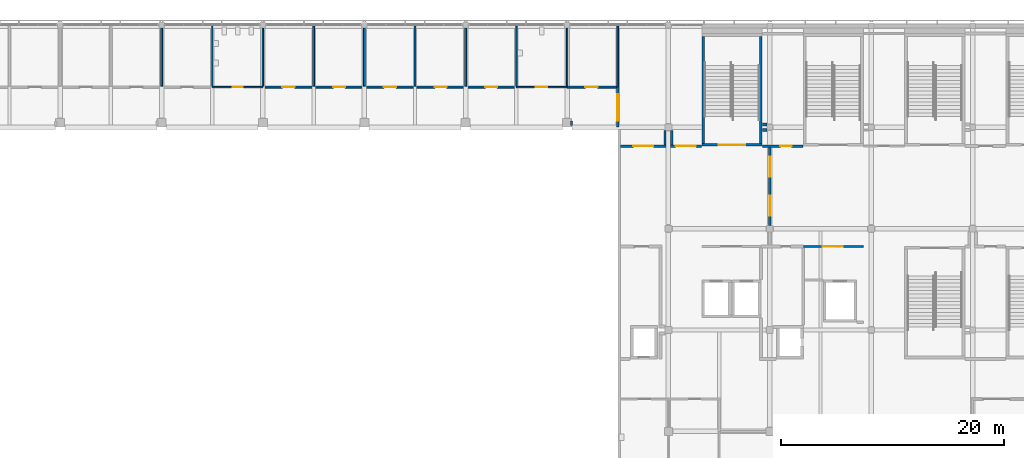
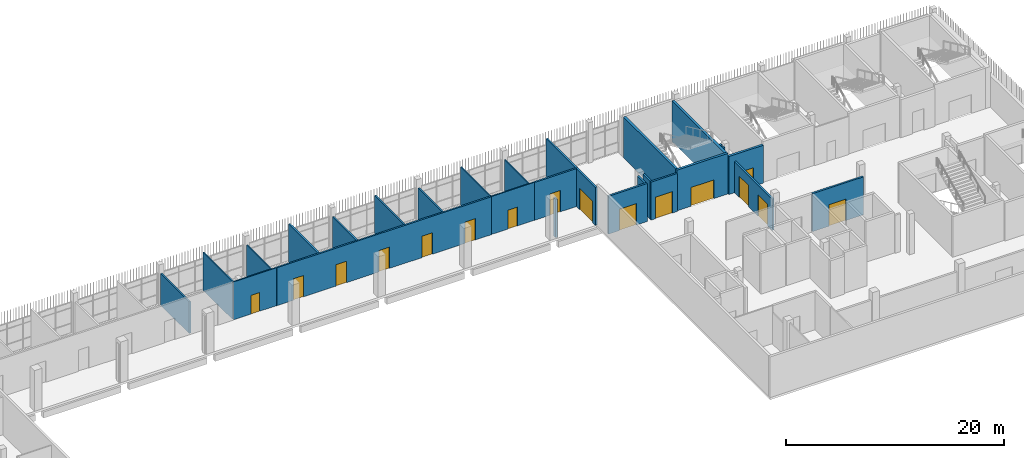
# One storey, part 78 of 124: 28 walls, 16 doors, 16 openings.
"""IFC4 building model written with IfcOpenShell, lengths in metres."""

from ifc_helpers import new_model, si_unit, direction, frame, frame_2d, origin, place, context, subcontext, project, spatial, rectangle, extrude, material, layer, layer_set, type_object, element, fill, save


model = new_model("IFC4")

# Units and contexts
model_context = context("Model", 3, precision=1e-05, world=origin(), true_north=direction((0.0, 1.0)))
body_context = subcontext(model_context, "Body", "Model", "MODEL_VIEW")
ifc_project = project(units=[si_unit("LENGTHUNIT", "METRE"), si_unit("AREAUNIT", "SQUARE_METRE"), si_unit("VOLUMEUNIT", "CUBIC_METRE"), si_unit("PLANEANGLEUNIT", "RADIAN"), si_unit("MASSUNIT", "GRAM", prefix="KILO")], contexts=[model_context])

# Site, building, storey
site_placement = place(None, origin())
site = spatial("IfcSite", under=ifc_project, at=site_placement, CompositionType="ELEMENT")
building_placement = place(site_placement, origin())
building = spatial("IfcBuilding", under=site, at=building_placement, Name="Shirokan Park Arena", CompositionType="ELEMENT")
storey_placement = place(building_placement, frame((0.0, 0.0, 20.02001953125)))
storey = spatial("IfcBuildingStorey", under=building, at=storey_placement, Name="L04", CompositionType="ELEMENT", Elevation=20.02001953125)

# Wall
ifc_material_1 = material(Name="Gypsum board")
ifc_layer_1 = layer(ifc_material_1, 0.02490234375, Name="Gypsum board, two layers")
ifc_material_2 = material(Name="Mineral wool insulation")
ifc_layer_2 = layer(ifc_material_2, 0.10009765625, Name="Acoustic mineral wool in studs")
ifc_layer_3 = layer(ifc_material_1, 0.02490234375, Name="Gypsum board, two layers")
ifc_material_3 = material(Name="Acoustic mat on resilient channel")
ifc_layer_4 = layer(ifc_material_3, 0.02490234375, Name="Acoustic mat on resilient channel")
ifc_layer_set_1 = layer_set([ifc_layer_1, ifc_layer_2, ifc_layer_3, ifc_layer_4], Name="Gypsum board, two layers + Acoustic mineral wool in studs + Acoustic mat on resilient channel")
wall_type_1 = type_object("IfcWallType", Name="Acoustic studio wall 175", PredefinedType="PARTITIONING", material=ifc_layer_set_1)
wall_1_placement = place(storey_placement, frame((63.699951171875, 109.02490234375, 0.0), z_axis=(0.0, 0.0, 1.0), x_axis=(0.0, -1.0, 0.0)))
element("IfcWall", 1, at=wall_1_placement, inside=storey, type_object=wall_type_1, Name="Acoustic studio wall 175 L04", PredefinedType="PARTITIONING", context=body_context, shape_type="SweptSolid", body=[
    extrude(rectangle(XDim=5.2373046875, YDim=0.175048828125, at=frame_2d((2.61865234375, 0.0))), origin(), (0.0, 0.0, 1.0), 3.550048828125),
])

# Wall, openings, doors
wall_2_placement = place(storey_placement, frame((72.800048828125, 103.699951171875, 0.0), z_axis=(0.0, 0.0, 1.0), x_axis=(1.0, 0.0, 0.0)))
wall_2 = element("IfcWall", 2, at=wall_2_placement, inside=storey, type_object=wall_type_1, Name="Acoustic studio wall 175 L04", PredefinedType="PARTITIONING", context=body_context, shape_type="SweptSolid", body=[
    extrude(rectangle(XDim=22.75, YDim=0.175048828125, at=frame_2d((11.375, 0.0))), origin(), (0.0, 0.0, 1.0), 4.25),
])
opening_1_placement = place(wall_2_placement, frame((10.85009765625, 0.0, 0.0)))
opening_1 = element("IfcOpeningElement", 3, at=opening_1_placement, cuts=wall_2, Name="Opening D-4048", PredefinedType="OPENING", context=body_context, shape_type="SweptSolid", body=[
    extrude(rectangle(XDim=1.10009765625, YDim=2.39990234375, at=frame_2d((0.550048828125, 1.199951171875))), frame((0.0, 0.097412109375, 0.0), z_axis=(0.0, -1.0, 0.0), x_axis=(1.0, 0.0, 0.0)), (0.0, 0.0, 1.0), 0.195068359375),
])
opening_2_placement = place(wall_2_placement, frame((15.39990234375, 0.0, 0.0)))
opening_2 = element("IfcOpeningElement", 4, at=opening_2_placement, cuts=wall_2, Name="Opening D-4049", PredefinedType="OPENING", context=body_context, shape_type="SweptSolid", body=[
    extrude(rectangle(XDim=1.10009765625, YDim=2.39990234375, at=frame_2d((0.550048828125, 1.199951171875))), frame((0.0, 0.097412109375, 0.0), z_axis=(0.0, -1.0, 0.0), x_axis=(1.0, 0.0, 0.0)), (0.0, 0.0, 1.0), 0.195068359375),
])
opening_3_placement = place(wall_2_placement, frame((19.949951171875, 0.0, 0.0)))
opening_3 = element("IfcOpeningElement", 5, at=opening_3_placement, cuts=wall_2, Name="Opening D-4050", PredefinedType="OPENING", context=body_context, shape_type="SweptSolid", body=[
    extrude(rectangle(XDim=1.10009765625, YDim=2.39990234375, at=frame_2d((0.550048828125, 1.199951171875))), frame((0.0, 0.097412109375, 0.0), z_axis=(0.0, -1.0, 0.0), x_axis=(1.0, 0.0, 0.0)), (0.0, 0.0, 1.0), 0.195068359375),
])
opening_4_placement = place(wall_2_placement, frame((1.75, 0.0, 0.0)))
opening_4 = element("IfcOpeningElement", 6, at=opening_4_placement, cuts=wall_2, Name="Opening D-4059", PredefinedType="OPENING", context=body_context, shape_type="SweptSolid", body=[
    extrude(rectangle(XDim=1.10009765625, YDim=2.39990234375, at=frame_2d((0.550048828125, 1.199951171875))), frame((0.0, 0.097412109375, 0.0), z_axis=(0.0, -1.0, 0.0), x_axis=(1.0, 0.0, 0.0)), (0.0, 0.0, 1.0), 0.195068359375),
])
opening_5_placement = place(wall_2_placement, frame((6.300048828125, 0.0, 0.0)))
opening_5 = element("IfcOpeningElement", 7, at=opening_5_placement, cuts=wall_2, Name="Opening D-4060", PredefinedType="OPENING", context=body_context, shape_type="SweptSolid", body=[
    extrude(rectangle(XDim=1.10009765625, YDim=2.39990234375, at=frame_2d((0.550048828125, 1.199951171875))), frame((0.0, 0.097412109375, 0.0), z_axis=(0.0, -1.0, 0.0), x_axis=(1.0, 0.0, 0.0)), (0.0, 0.0, 1.0), 0.195068359375),
])
ifc_material_4 = material(Name="Acoustic timber door set, fire resisting", Category="wood")
door_type_1 = type_object("IfcDoorType", Name="Acoustic studio door 1100 x 2400", OperationType="SINGLE_SWING_LEFT", PredefinedType="DOOR", material=ifc_material_4)
door_1_placement = place(opening_1_placement, origin())
door_1 = element("IfcDoor", 8, at=door_1_placement, inside=storey, type_object=door_type_1, Name="Door to Commentary Position 4.40 D-4048", OperationType="SINGLE_SWING_LEFT", OverallHeight=2.39990234375, OverallWidth=1.10009765625, PredefinedType="DOOR", context=body_context, shape_type="SweptSolid", body=[
    extrude(rectangle(XDim=1.10009765625, YDim=2.39990234375, at=frame_2d((0.550048828125, 1.199951171875))), frame((0.0, 0.02490234375, 0.0), z_axis=(0.0, -1.0, 0.0), x_axis=(1.0, 0.0, 0.0)), (0.0, 0.0, 1.0), 0.050048828125),
])
fill(opening_1, door_1)
door_2_placement = place(opening_2_placement, origin())
door_2 = element("IfcDoor", 9, at=door_2_placement, inside=storey, type_object=door_type_1, Name="Door to Commentary Position 4.41 D-4049", OperationType="SINGLE_SWING_LEFT", OverallHeight=2.39990234375, OverallWidth=1.10009765625, PredefinedType="DOOR", context=body_context, shape_type="SweptSolid", body=[
    extrude(rectangle(XDim=1.10009765625, YDim=2.39990234375, at=frame_2d((0.550048828125, 1.199951171875))), frame((0.0, 0.02490234375, 0.0), z_axis=(0.0, -1.0, 0.0), x_axis=(1.0, 0.0, 0.0)), (0.0, 0.0, 1.0), 0.050048828125),
])
fill(opening_2, door_2)
door_3_placement = place(opening_3_placement, origin())
door_3 = element("IfcDoor", 10, at=door_3_placement, inside=storey, type_object=door_type_1, Name="Door to Commentary Position 4.42 D-4050", OperationType="SINGLE_SWING_LEFT", OverallHeight=2.39990234375, OverallWidth=1.10009765625, PredefinedType="DOOR", context=body_context, shape_type="SweptSolid", body=[
    extrude(rectangle(XDim=1.10009765625, YDim=2.39990234375, at=frame_2d((0.550048828125, 1.199951171875))), frame((0.0, 0.02490234375, 0.0), z_axis=(0.0, -1.0, 0.0), x_axis=(1.0, 0.0, 0.0)), (0.0, 0.0, 1.0), 0.050048828125),
])
fill(opening_3, door_3)
door_4_placement = place(opening_4_placement, origin())
door_4 = element("IfcDoor", 11, at=door_4_placement, inside=storey, type_object=door_type_1, Name="Door to Commentary Position 4.38 D-4059", OperationType="SINGLE_SWING_LEFT", OverallHeight=2.39990234375, OverallWidth=1.10009765625, PredefinedType="DOOR", context=body_context, shape_type="SweptSolid", body=[
    extrude(rectangle(XDim=1.10009765625, YDim=2.39990234375, at=frame_2d((0.550048828125, 1.199951171875))), frame((0.0, 0.02490234375, 0.0), z_axis=(0.0, -1.0, 0.0), x_axis=(1.0, 0.0, 0.0)), (0.0, 0.0, 1.0), 0.050048828125),
])
fill(opening_4, door_4)
door_5_placement = place(opening_5_placement, origin())
door_5 = element("IfcDoor", 12, at=door_5_placement, inside=storey, type_object=door_type_1, Name="Door to Commentary Position 4.39 D-4060", OperationType="SINGLE_SWING_LEFT", OverallHeight=2.39990234375, OverallWidth=1.10009765625, PredefinedType="DOOR", context=body_context, shape_type="SweptSolid", body=[
    extrude(rectangle(XDim=1.10009765625, YDim=2.39990234375, at=frame_2d((0.550048828125, 1.199951171875))), frame((0.0, 0.02490234375, 0.0), z_axis=(0.0, -1.0, 0.0), x_axis=(1.0, 0.0, 0.0)), (0.0, 0.0, 1.0), 0.050048828125),
])
fill(opening_5, door_5)

# Walls
wall_3_placement = place(storey_placement, frame((77.35009765625, 109.169921875, 0.0), z_axis=(0.0, 0.0, 1.0), x_axis=(0.0, -1.0, 0.0)))
element("IfcWall", 13, at=wall_3_placement, inside=storey, type_object=wall_type_1, Name="Acoustic studio wall 175 L04", PredefinedType="PARTITIONING", context=body_context, shape_type="SweptSolid", body=[
    extrude(rectangle(XDim=5.38232421875, YDim=0.175048828125, at=frame_2d((2.691162109375, 0.0))), origin(), (0.0, 0.0, 1.0), 4.25),
])
wall_4_placement = place(storey_placement, frame((81.89990234375, 109.0, 0.0), z_axis=(0.0, 0.0, 1.0), x_axis=(0.0, -1.0, 0.0)))
element("IfcWall", 14, at=wall_4_placement, inside=storey, type_object=wall_type_1, Name="Acoustic studio wall 175 L04", PredefinedType="PARTITIONING", context=body_context, shape_type="SweptSolid", body=[
    extrude(rectangle(XDim=5.21240234375, YDim=0.175048828125, at=frame_2d((2.606201171875, 0.0))), origin(), (0.0, 0.0, 1.0), 3.550048828125),
])
wall_5_placement = place(storey_placement, frame((86.449951171875, 109.169921875, 0.0), z_axis=(0.0, 0.0, 1.0), x_axis=(0.0, -1.0, 0.0)))
element("IfcWall", 15, at=wall_5_placement, inside=storey, type_object=wall_type_1, Name="Acoustic studio wall 175 L04", PredefinedType="PARTITIONING", context=body_context, shape_type="SweptSolid", body=[
    extrude(rectangle(XDim=5.38232421875, YDim=0.175048828125, at=frame_2d((2.691162109375, 0.0))), origin(), (0.0, 0.0, 1.0), 4.25),
])
wall_6_placement = place(storey_placement, frame((91.0, 109.02490234375, 0.0), z_axis=(0.0, 0.0, 1.0), x_axis=(0.0, -1.0, 0.0)))
element("IfcWall", 16, at=wall_6_placement, inside=storey, type_object=wall_type_1, Name="Acoustic studio wall 175 L04", PredefinedType="PARTITIONING", context=body_context, shape_type="SweptSolid", body=[
    extrude(rectangle(XDim=5.2373046875, YDim=0.175048828125, at=frame_2d((2.61865234375, 0.0))), origin(), (0.0, 0.0, 1.0), 3.550048828125),
])

# Wall, opening, door
wall_7_placement = place(storey_placement, frame((100.10009765625, 103.699951171875, 0.0), z_axis=(0.0, 0.0, 1.0), x_axis=(1.0, 0.0, 0.0)))
wall_7 = element("IfcWall", 17, at=wall_7_placement, inside=storey, type_object=wall_type_1, Name="Acoustic studio wall 175 L04", PredefinedType="PARTITIONING", context=body_context, shape_type="SweptSolid", body=[
    extrude(rectangle(XDim=4.449951171875, YDim=0.175048828125, at=frame_2d((2.22509765625, 0.0))), origin(), (0.0, 0.0, 1.0), 4.25),
])
opening_6_placement = place(wall_7_placement, frame((1.64990234375, 0.0, 0.0)))
opening_6 = element("IfcOpeningElement", 18, at=opening_6_placement, cuts=wall_7, Name="Opening D-4052", PredefinedType="OPENING", context=body_context, shape_type="SweptSolid", body=[
    extrude(rectangle(XDim=1.10009765625, YDim=2.39990234375, at=frame_2d((0.550048828125, 1.199951171875))), frame((0.0, 0.097412109375, 0.0), z_axis=(0.0, -1.0, 0.0), x_axis=(1.0, 0.0, 0.0)), (0.0, 0.0, 1.0), 0.195068359375),
])
door_6_placement = place(opening_6_placement, origin())
door_6 = element("IfcDoor", 19, at=door_6_placement, inside=storey, type_object=door_type_1, Name="Door to Commentary Position 4.44 D-4052", OperationType="SINGLE_SWING_RIGHT", OverallHeight=2.39990234375, OverallWidth=1.10009765625, PredefinedType="DOOR", context=body_context, shape_type="SweptSolid", body=[
    extrude(rectangle(XDim=1.10009765625, YDim=2.39990234375, at=frame_2d((0.550048828125, 1.199951171875))), frame((0.0, 0.02490234375, 0.0), z_axis=(0.0, -1.0, 0.0), x_axis=(1.0, 0.0, 0.0)), (0.0, 0.0, 1.0), 0.050048828125),
])
fill(opening_6, door_6)

# Wall
wall_8_placement = place(storey_placement, frame((104.64990234375, 103.699951171875, 0.0), z_axis=(0.0, 0.0, 1.0), x_axis=(0.0, 1.0, 0.0)))
element("IfcWall", 20, at=wall_8_placement, inside=storey, type_object=wall_type_1, Name="Acoustic studio wall 175 L04", PredefinedType="PARTITIONING", context=body_context, shape_type="SweptSolid", body=[
    extrude(rectangle(XDim=5.469970703125, YDim=0.175048828125, at=frame_2d((2.73486328125, 0.0))), origin(), (0.0, 0.0, 1.0), 4.25),
])

# Wall, opening, door
ifc_material_5 = material(Name="Plaster")
ifc_layer_5 = layer(ifc_material_5, 0.014892578125, Name="Plaster")
ifc_material_6 = material(Name="Concrete blockwork", Category="masonry")
ifc_layer_6 = layer(ifc_material_6, 0.219970703125, Name="Concrete blockwork 220")
ifc_layer_7 = layer(ifc_material_5, 0.014892578125, Name="Plaster")
ifc_layer_set_2 = layer_set([ifc_layer_5, ifc_layer_6, ifc_layer_7], Name="Plaster + Concrete blockwork 220")
wall_type_2 = type_object("IfcWallType", Name="Compartment wall 250", PredefinedType="SOLIDWALL", material=ifc_layer_set_2)
wall_9_placement = place(storey_placement, frame((117.6298828125, 98.39990234375, 0.0), z_axis=(0.0, 0.0, 1.0), x_axis=(1.0, 0.0, 0.0)))
wall_9 = element("IfcWall", 21, at=wall_9_placement, inside=storey, type_object=wall_type_2, Name="Compartment wall 250 L04", PredefinedType="SOLIDWALL", context=body_context, shape_type="SweptSolid", body=[
    extrude(rectangle(XDim=3.64013671875, YDim=0.25, at=frame_2d((1.820068359375, 0.0))), origin(), (0.0, 0.0, 1.0), 4.25),
])
opening_7_placement = place(wall_9_placement, frame((1.6201171875, 0.0, 0.0)))
opening_7 = element("IfcOpeningElement", 22, at=opening_7_placement, cuts=wall_9, Name="Opening D-4029", PredefinedType="OPENING", context=body_context, shape_type="SweptSolid", body=[
    extrude(rectangle(XDim=1.0, YDim=2.10009765625, at=frame_2d((0.5, 1.050048828125))), frame((0.0, 0.135009765625, 0.0), z_axis=(0.0, -1.0, 0.0), x_axis=(1.0, 0.0, 0.0)), (0.0, 0.0, 1.0), 0.27001953125),
])
ifc_material_7 = material(Name="Timber door set, fire resisting", Category="wood")
door_type_2 = type_object("IfcDoorType", Name="Door 1000 x 2100", OperationType="SINGLE_SWING_LEFT", PredefinedType="DOOR", material=ifc_material_7)
door_7_placement = place(opening_7_placement, origin())
door_7 = element("IfcDoor", 23, at=door_7_placement, inside=storey, type_object=door_type_2, Name="Door to Records Store 4.32 D-4029", OperationType="SINGLE_SWING_RIGHT", OverallHeight=2.10009765625, OverallWidth=1.0, PredefinedType="DOOR", context=body_context, shape_type="SweptSolid", body=[
    extrude(rectangle(XDim=1.0, YDim=2.10009765625, at=frame_2d((0.5, 1.050048828125))), frame((0.0, 0.02490234375, 0.0), z_axis=(0.0, -1.0, 0.0), x_axis=(1.0, 0.0, 0.0)), (0.0, 0.0, 1.0), 0.050048828125),
])
fill(opening_7, door_7)

# Walls
for number, where, z_axis, x_axis, name in (
    (24, (117.6298828125, 99.85009765625, 0.0), (0.0, 0.0, 1.0), (1.0, 0.0, 0.0), "Compartment wall 250 L04"),
    (25, (118.050048828125, 100.35009765625, 0.0), (0.0, 0.0, 1.0), (-1.0, 0.0, 0.0), "Compartment wall 250 L04"),
):
    element("IfcWall", number, at=place(storey_placement, frame(where, z_axis=z_axis, x_axis=x_axis)), inside=storey, type_object=wall_type_2, Name=name, PredefinedType="SOLIDWALL", context=body_context, shape_type="SweptSolid", body=[
        extrude(rectangle(XDim=0.420166015625, YDim=0.25, at=frame_2d((0.2099609375, 0.0))), origin(), (0.0, 0.0, 1.0), 4.25),
    ])
ifc_layer_8 = layer(ifc_material_1, 0.02490234375, Name="Gypsum board, two layers")
ifc_layer_9 = layer(ifc_material_2, 0.14990234375, Name="Mineral wool insulation")
ifc_layer_10 = layer(ifc_material_1, 0.02490234375, Name="Gypsum board, two layers")
ifc_layer_set_3 = layer_set([ifc_layer_8, ifc_layer_9, ifc_layer_10], Name="Gypsum board, two layers + Mineral wool insulation")
wall_type_3 = type_object("IfcWallType", Name="Corridor wall 200", PredefinedType="PARTITIONING", material=ifc_layer_set_3)
wall_10_placement = place(storey_placement, frame((100.5, 100.25, 0.0), z_axis=(0.0, 0.0, 1.0), x_axis=(0.0, 1.0, 0.0)))
element("IfcWall", 26, at=wall_10_placement, inside=storey, type_object=wall_type_3, Name="Corridor wall 200 L04", PredefinedType="PARTITIONING", context=body_context, shape_type="SweptSolid", body=[
    extrude(rectangle(XDim=0.39990234375, YDim=0.199951171875, at=frame_2d((0.199951171875, 0.0))), origin(), (0.0, 0.0, 1.0), 4.25),
])

# Wall, opening, door
wall_11_placement = place(storey_placement, frame((104.64990234375, 100.1298828125, 0.0), z_axis=(0.0, 0.0, 1.0), x_axis=(0.0, 1.0, 0.0)))
wall_11 = element("IfcWall", 27, at=wall_11_placement, inside=storey, type_object=wall_type_3, Name="Corridor wall 200 L04", PredefinedType="PARTITIONING", context=body_context, shape_type="SweptSolid", body=[
    extrude(rectangle(XDim=3.570068359375, YDim=0.199951171875, at=frame_2d((1.78515625, 0.0))), origin(), (0.0, 0.0, 1.0), 4.25),
])
opening_8_placement = place(wall_11_placement, frame((0.550048828125, 0.0, 0.0)))
opening_8 = element("IfcOpeningElement", 28, at=opening_8_placement, cuts=wall_11, Name="Opening D-4106", PredefinedType="OPENING", context=body_context, shape_type="SweptSolid", body=[
    extrude(rectangle(XDim=2.39990234375, YDim=2.39990234375, at=frame_2d((1.199951171875, 1.199951171875))), frame((0.0, 0.10986328125, 0.0), z_axis=(0.0, -1.0, 0.0), x_axis=(1.0, 0.0, 0.0)), (0.0, 0.0, 1.0), 0.219970703125),
])
ifc_material_8 = material(Name="Steel door set, fire resisting", Category="steel")
door_type_3 = type_object("IfcDoorType", Name="Double door 2400 x 2400", OperationType="DOUBLE_DOOR_SINGLE_SWING", PredefinedType="DOOR", material=ifc_material_8)
door_8_placement = place(opening_8_placement, origin())
door_8 = element("IfcDoor", 29, at=door_8_placement, inside=storey, type_object=door_type_3, Name="Door between Ring Link 3.4 and Operations Corridor 4.03 D-4106", OperationType="DOUBLE_DOOR_SINGLE_SWING", OverallHeight=2.39990234375, OverallWidth=2.39990234375, PredefinedType="DOOR", context=body_context, shape_type="SweptSolid", body=[
    extrude(rectangle(XDim=2.39990234375, YDim=2.39990234375, at=frame_2d((1.199951171875, 1.199951171875))), frame((0.0, 0.02490234375, 0.0), z_axis=(0.0, -1.0, 0.0), x_axis=(1.0, 0.0, 0.0)), (0.0, 0.0, 1.0), 0.050048828125),
])
fill(opening_8, door_8)

wall_12_placement = place(storey_placement, frame((104.89990234375, 98.39990234375, 0.0), z_axis=(0.0, 0.0, 1.0), x_axis=(1.0, 0.0, 0.0)))
wall_12 = element("IfcWall", 30, at=wall_12_placement, inside=storey, type_object=wall_type_3, Name="Corridor wall 200 L04", PredefinedType="PARTITIONING", context=body_context, shape_type="SweptSolid", body=[
    extrude(rectangle(XDim=4.10009765625, YDim=0.199951171875, at=frame_2d((2.050048828125, 0.0))), origin(), (0.0, 0.0, 1.0), 4.25),
])
opening_9_placement = place(wall_12_placement, frame((1.14990234375, 0.0, 0.0)))
opening_9 = element("IfcOpeningElement", 31, at=opening_9_placement, cuts=wall_12, Name="Opening D-4103", PredefinedType="OPENING", context=body_context, shape_type="SweptSolid", body=[
    extrude(rectangle(XDim=1.800048828125, YDim=2.39990234375, at=frame_2d((0.89990234375, 1.199951171875))), frame((0.0, 0.10986328125, 0.0), z_axis=(0.0, -1.0, 0.0), x_axis=(1.0, 0.0, 0.0)), (0.0, 0.0, 1.0), 0.219970703125),
])
ifc_material_9 = material(Name="Glazed steel door set, fire resisting", Category="steel")
door_type_4 = type_object("IfcDoorType", Name="Lift lobby door 1800 x 2400", OperationType="DOUBLE_DOOR_SINGLE_SWING", PredefinedType="DOOR", material=ifc_material_9)
door_9_placement = place(opening_9_placement, origin())
door_9 = element("IfcDoor", 32, at=door_9_placement, inside=storey, type_object=door_type_4, Name="Door between Stair Lobby 3.4.2 and Ring Link 3.4 D-4103", OperationType="DOUBLE_DOOR_SINGLE_SWING", OverallHeight=2.39990234375, OverallWidth=1.800048828125, PredefinedType="DOOR", context=body_context, shape_type="SweptSolid", body=[
    extrude(rectangle(XDim=1.800048828125, YDim=2.39990234375, at=frame_2d((0.89990234375, 1.199951171875))), frame((0.0, 0.02490234375, 0.0), z_axis=(0.0, -1.0, 0.0), x_axis=(1.0, 0.0, 0.0)), (0.0, 0.0, 1.0), 0.050048828125),
])
fill(opening_9, door_9)

# Wall
wall_13_placement = place(storey_placement, frame((108.89990234375, 98.5, 0.0), z_axis=(0.0, 0.0, 1.0), x_axis=(0.0, 1.0, 0.0)))
element("IfcWall", 33, at=wall_13_placement, inside=storey, type_object=wall_type_3, Name="Corridor wall 200 L04", PredefinedType="PARTITIONING", context=body_context, shape_type="SweptSolid", body=[
    extrude(rectangle(XDim=1.300048828125, YDim=0.199951171875, at=frame_2d((0.64990234375, 0.0))), origin(), (0.0, 0.0, 1.0), 4.25),
])

# Wall, opening, door
wall_14_placement = place(storey_placement, frame((109.39990234375, 98.39990234375, 0.0), z_axis=(0.0, 0.0, 1.0), x_axis=(1.0, 0.0, 0.0)))
wall_14 = element("IfcWall", 34, at=wall_14_placement, inside=storey, type_object=wall_type_3, Name="Corridor wall 200 L04", PredefinedType="PARTITIONING", context=body_context, shape_type="SweptSolid", body=[
    extrude(rectangle(XDim=2.77001953125, YDim=0.199951171875, at=frame_2d((1.385009765625, 0.0))), origin(), (0.0, 0.0, 1.0), 4.25),
])
opening_10_placement = place(wall_14_placement, frame((0.449951171875, 0.0, 0.0)))
opening_10 = element("IfcOpeningElement", 35, at=opening_10_placement, cuts=wall_14, Name="Opening D-4104", PredefinedType="OPENING", context=body_context, shape_type="SweptSolid", body=[
    extrude(rectangle(XDim=1.800048828125, YDim=2.39990234375, at=frame_2d((0.89990234375, 1.199951171875))), frame((0.0, 0.10986328125, 0.0), z_axis=(0.0, -1.0, 0.0), x_axis=(1.0, 0.0, 0.0)), (0.0, 0.0, 1.0), 0.219970703125),
])
door_10_placement = place(opening_10_placement, origin())
door_10 = element("IfcDoor", 36, at=door_10_placement, inside=storey, type_object=door_type_4, Name="Door between Stair Lobby 3.4.2 and Ring Link 3.4 D-4104", OperationType="DOUBLE_DOOR_SINGLE_SWING", OverallHeight=2.39990234375, OverallWidth=1.800048828125, PredefinedType="DOOR", context=body_context, shape_type="SweptSolid", body=[
    extrude(rectangle(XDim=1.800048828125, YDim=2.39990234375, at=frame_2d((0.89990234375, 1.199951171875))), frame((0.0, 0.02490234375, 0.0), z_axis=(0.0, -1.0, 0.0), x_axis=(1.0, 0.0, 0.0)), (0.0, 0.0, 1.0), 0.050048828125),
])
fill(opening_10, door_10)

# Wall
wall_15_placement = place(storey_placement, frame((109.5, 99.800048828125, 0.0), z_axis=(0.0, 0.0, 1.0), x_axis=(0.0, -1.0, 0.0)))
element("IfcWall", 37, at=wall_15_placement, inside=storey, type_object=wall_type_3, Name="Corridor wall 200 L04", PredefinedType="PARTITIONING", context=body_context, shape_type="SweptSolid", body=[
    extrude(rectangle(XDim=1.300048828125, YDim=0.199951171875, at=frame_2d((0.64990234375, 0.0))), origin(), (0.0, 0.0, 1.0), 4.25),
])

# Wall, openings, doors
wall_16_placement = place(storey_placement, frame((118.300048828125, 91.300048828125, 0.0), z_axis=(0.0, 0.0, 1.0), x_axis=(0.0, 1.0, 0.0)))
wall_16 = element("IfcWall", 38, at=wall_16_placement, inside=storey, type_object=wall_type_3, Name="Corridor wall 200 L04", PredefinedType="PARTITIONING", context=body_context, shape_type="SweptSolid", body=[
    extrude(rectangle(XDim=6.974853515625, YDim=0.199951171875, at=frame_2d((3.4873046875, 0.0))), origin(), (0.0, 0.0, 1.0), 3.5),
])
opening_11_placement = place(wall_16_placement, frame((0.85009765625, 0.0, 0.0)))
opening_11 = element("IfcOpeningElement", 39, at=opening_11_placement, cuts=wall_16, Name="Opening D-4099", PredefinedType="OPENING", context=body_context, shape_type="SweptSolid", body=[
    extrude(rectangle(XDim=1.800048828125, YDim=2.39990234375, at=frame_2d((0.89990234375, 1.199951171875))), frame((0.0, 0.10986328125, 0.0), z_axis=(0.0, -1.0, 0.0), x_axis=(1.0, 0.0, 0.0)), (0.0, 0.0, 1.0), 0.219970703125),
])
opening_12_placement = place(wall_16_placement, frame((4.35009765625, 0.0, 0.0)))
opening_12 = element("IfcOpeningElement", 40, at=opening_12_placement, cuts=wall_16, Name="Opening D-4100", PredefinedType="OPENING", context=body_context, shape_type="SweptSolid", body=[
    extrude(rectangle(XDim=1.800048828125, YDim=2.39990234375, at=frame_2d((0.89990234375, 1.199951171875))), frame((0.0, 0.10986328125, 0.0), z_axis=(0.0, -1.0, 0.0), x_axis=(1.0, 0.0, 0.0)), (0.0, 0.0, 1.0), 0.219970703125),
])
door_11_placement = place(opening_11_placement, origin())
door_11 = element("IfcDoor", 41, at=door_11_placement, inside=storey, type_object=door_type_4, Name="Door between Control Lobby 3.4.1 and Stair Lobby 3.4.2 D-4099", OperationType="DOUBLE_DOOR_SINGLE_SWING", OverallHeight=2.39990234375, OverallWidth=1.800048828125, PredefinedType="DOOR", context=body_context, shape_type="SweptSolid", body=[
    extrude(rectangle(XDim=1.800048828125, YDim=2.39990234375, at=frame_2d((0.89990234375, 1.199951171875))), frame((0.0, 0.02490234375, 0.0), z_axis=(0.0, -1.0, 0.0), x_axis=(1.0, 0.0, 0.0)), (0.0, 0.0, 1.0), 0.050048828125),
])
fill(opening_11, door_11)
door_12_placement = place(opening_12_placement, origin())
door_12 = element("IfcDoor", 42, at=door_12_placement, inside=storey, type_object=door_type_4, Name="Door between Control Lobby 3.4.1 and Stair Lobby 3.4.2 D-4100", OperationType="DOUBLE_DOOR_SINGLE_SWING", OverallHeight=2.39990234375, OverallWidth=1.800048828125, PredefinedType="DOOR", context=body_context, shape_type="SweptSolid", body=[
    extrude(rectangle(XDim=1.800048828125, YDim=2.39990234375, at=frame_2d((0.89990234375, 1.199951171875))), frame((0.0, 0.02490234375, 0.0), z_axis=(0.0, -1.0, 0.0), x_axis=(1.0, 0.0, 0.0)), (0.0, 0.0, 1.0), 0.050048828125),
])
fill(opening_12, door_12)

# Wall, opening, door
wall_17_placement = place(storey_placement, frame((126.699951171875, 89.39990234375, 0.0), z_axis=(0.0, 0.0, 1.0), x_axis=(-1.0, 0.0, 0.0)))
wall_17 = element("IfcWall", 43, at=wall_17_placement, inside=storey, type_object=wall_type_3, Name="Corridor wall 200 L04", PredefinedType="PARTITIONING", context=body_context, shape_type="SweptSolid", body=[
    extrude(rectangle(XDim=5.39990234375, YDim=0.199951171875, at=frame_2d((2.699951171875, 0.0))), origin(), (0.0, 0.0, 1.0), 4.25),
])
opening_13_placement = place(wall_17_placement, frame((1.85009765625, 0.0, 0.0)))
opening_13 = element("IfcOpeningElement", 44, at=opening_13_placement, cuts=wall_17, Name="Opening D-4101", PredefinedType="OPENING", context=body_context, shape_type="SweptSolid", body=[
    extrude(rectangle(XDim=1.800048828125, YDim=2.39990234375, at=frame_2d((0.89990234375, 1.199951171875))), frame((0.0, 0.10986328125, 0.0), z_axis=(0.0, -1.0, 0.0), x_axis=(1.0, 0.0, 0.0)), (0.0, 0.0, 1.0), 0.219970703125),
])
door_13_placement = place(opening_13_placement, origin())
door_13 = element("IfcDoor", 45, at=door_13_placement, inside=storey, type_object=door_type_4, Name="Door between Control Lobby 3.4.1 and Service Lift Lobby 3.4 D-4101", OperationType="DOUBLE_DOOR_SINGLE_SWING", OverallHeight=2.39990234375, OverallWidth=1.800048828125, PredefinedType="DOOR", context=body_context, shape_type="SweptSolid", body=[
    extrude(rectangle(XDim=1.800048828125, YDim=2.39990234375, at=frame_2d((0.89990234375, 1.199951171875))), frame((0.0, 0.02490234375, 0.0), z_axis=(0.0, -1.0, 0.0), x_axis=(1.0, 0.0, 0.0)), (0.0, 0.0, 1.0), 0.050048828125),
])
fill(opening_13, door_13)

ifc_material_10 = material(Name="Concrete C40/50", Category="concrete")
ifc_layer_11 = layer(ifc_material_10, 0.25)
ifc_layer_set_4 = layer_set([ifc_layer_11], Name="Concrete C40/50 250 mm")
wall_type_4 = type_object("IfcWallType", Name="RC shear wall 250", PredefinedType="SHEAR", material=ifc_layer_set_4)
wall_18_placement = place(storey_placement, frame((117.60009765625, 98.52490234375, 0.0), z_axis=(0.0, 0.0, 1.0), x_axis=(-1.0, 0.0, 0.0)))
wall_18 = element("IfcWall", 46, at=wall_18_placement, inside=storey, type_object=wall_type_4, Name="Shaft wall Exit Stair 3.D S L04", PredefinedType="SHEAR", context=body_context, shape_type="SweptSolid", body=[
    extrude(rectangle(XDim=5.400146484375, YDim=0.25, at=frame_2d((2.7001953125, 0.0))), origin(), (0.0, 0.0, 1.0), 4.550048828125),
])
opening_14_placement = place(wall_18_placement, frame((1.5, 0.0, 0.0)))
opening_14 = element("IfcOpeningElement", 47, at=opening_14_placement, cuts=wall_18, Name="Opening D-4145", PredefinedType="OPENING", context=body_context, shape_type="SweptSolid", body=[
    extrude(rectangle(XDim=2.39990234375, YDim=2.10009765625, at=frame_2d((1.199951171875, 1.050048828125))), frame((0.0, 0.135009765625, 0.0), z_axis=(0.0, -1.0, 0.0), x_axis=(1.0, 0.0, 0.0)), (0.0, 0.0, 1.0), 0.27001953125),
])
door_type_5 = type_object("IfcDoorType", Name="Stair door 2400 x 2100", OperationType="DOUBLE_DOOR_SINGLE_SWING", PredefinedType="DOOR", material=ifc_material_8)
door_14_placement = place(opening_14_placement, origin())
door_14 = element("IfcDoor", 48, at=door_14_placement, inside=storey, type_object=door_type_5, Name="Stair door Exit Stair 3.D D-4145", OperationType="DOUBLE_DOOR_SINGLE_SWING", OverallHeight=2.10009765625, OverallWidth=2.39990234375, PredefinedType="DOOR", context=body_context, shape_type="SweptSolid", body=[
    extrude(rectangle(XDim=2.39990234375, YDim=2.10009765625, at=frame_2d((1.199951171875, 1.050048828125))), frame((0.0, 0.02490234375, 0.0), z_axis=(0.0, -1.0, 0.0), x_axis=(1.0, 0.0, 0.0)), (0.0, 0.0, 1.0), 0.050048828125),
])
fill(opening_14, door_14)

# Walls
for number, where, z_axis, x_axis, name in (
    (49, (112.324951171875, 108.25, 0.0), (0.0, 0.0, 1.0), (0.0, -1.0, 0.0), "Shaft wall Exit Stair 3.D W L04"),
    (50, (117.47509765625, 108.25, 0.0), (0.0, 0.0, 1.0), (0.0, -1.0, 0.0), "Shaft wall Exit Stair 3.D E L04"),
):
    element("IfcWall", number, at=place(storey_placement, frame(where, z_axis=z_axis, x_axis=x_axis)), inside=storey, type_object=wall_type_4, Name=name, PredefinedType="SHEAR", context=body_context, shape_type="SweptSolid", body=[
        extrude(rectangle(XDim=9.60009765625, YDim=0.25, at=frame_2d((4.800048828125, 0.0))), origin(), (0.0, 0.0, 1.0), 4.550048828125),
    ])

# Wall, opening, door
ifc_material_11 = material(Name="Ceramic tile")
ifc_layer_12 = layer(ifc_material_11, 0.010009765625, Name="Ceramic tile")
ifc_material_12 = material(Name="Cement board")
ifc_layer_13 = layer(ifc_material_12, 0.012451171875, Name="Cement board")
ifc_layer_14 = layer(ifc_material_2, 0.080078125, Name="Mineral wool insulation")
ifc_layer_15 = layer(ifc_material_12, 0.012451171875, Name="Cement board")
ifc_layer_16 = layer(ifc_material_11, 0.010009765625, Name="Ceramic tile")
ifc_layer_set_5 = layer_set([ifc_layer_12, ifc_layer_13, ifc_layer_14, ifc_layer_15, ifc_layer_16], Name="Ceramic tile + Cement board + Mineral wool insulation")
wall_type_5 = type_object("IfcWallType", Name="Wet-area wall 125", PredefinedType="PARTITIONING", material=ifc_layer_set_5)
wall_19_placement = place(storey_placement, frame((68.25, 103.699951171875, 0.0), z_axis=(0.0, 0.0, 1.0), x_axis=(1.0, 0.0, 0.0)))
wall_19 = element("IfcWall", 51, at=wall_19_placement, inside=storey, type_object=wall_type_5, Name="Wet-area wall 125 L04", PredefinedType="PARTITIONING", context=body_context, shape_type="SweptSolid", body=[
    extrude(rectangle(XDim=4.550048828125, YDim=0.125, at=frame_2d((2.27490234375, 0.0))), origin(), (0.0, 0.0, 1.0), 4.25),
])
opening_15_placement = place(wall_19_placement, frame((1.85009765625, 0.0, 0.0)))
opening_15 = element("IfcOpeningElement", 52, at=opening_15_placement, cuts=wall_19, Name="Opening D-4058", PredefinedType="OPENING", context=body_context, shape_type="SweptSolid", body=[
    extrude(rectangle(XDim=0.89990234375, YDim=2.10009765625, at=frame_2d((0.449951171875, 1.050048828125))), frame((0.0, 0.072509765625, 0.0), z_axis=(0.0, -1.0, 0.0), x_axis=(1.0, 0.0, 0.0)), (0.0, 0.0, 1.0), 0.14501953125),
])
door_type_6 = type_object("IfcDoorType", Name="Door 900 x 2100", OperationType="SINGLE_SWING_LEFT", PredefinedType="DOOR", material=ifc_material_7)
door_15_placement = place(opening_15_placement, origin())
door_15 = element("IfcDoor", 53, at=door_15_placement, inside=storey, type_object=door_type_6, Name="Door to Staff WC 4.37 D-4058", OperationType="SINGLE_SWING_LEFT", OverallHeight=2.10009765625, OverallWidth=0.89990234375, PredefinedType="DOOR", context=body_context, shape_type="SweptSolid", body=[
    extrude(rectangle(XDim=0.89990234375, YDim=2.10009765625, at=frame_2d((0.449951171875, 1.050048828125))), frame((0.0, 0.02490234375, 0.0), z_axis=(0.0, -1.0, 0.0), x_axis=(1.0, 0.0, 0.0)), (0.0, 0.0, 1.0), 0.050048828125),
])
fill(opening_15, door_15)

# Walls
wall_20_placement = place(storey_placement, frame((68.25, 109.169921875, 0.0), z_axis=(0.0, 0.0, 1.0), x_axis=(0.0, -1.0, 0.0)))
element("IfcWall", 54, at=wall_20_placement, inside=storey, type_object=wall_type_5, Name="Wet-area wall 125 L04", PredefinedType="PARTITIONING", context=body_context, shape_type="SweptSolid", body=[
    extrude(rectangle(XDim=5.38232421875, YDim=0.125, at=frame_2d((2.691162109375, 0.0))), origin(), (0.0, 0.0, 1.0), 4.25),
])
wall_21_placement = place(storey_placement, frame((72.800048828125, 109.02490234375, 0.0), z_axis=(0.0, 0.0, 1.0), x_axis=(0.0, -1.0, 0.0)))
element("IfcWall", 55, at=wall_21_placement, inside=storey, type_object=wall_type_5, Name="Wet-area wall 125 L04", PredefinedType="PARTITIONING", context=body_context, shape_type="SweptSolid", body=[
    extrude(rectangle(XDim=5.2373046875, YDim=0.125, at=frame_2d((2.61865234375, 0.0))), origin(), (0.0, 0.0, 1.0), 3.550048828125),
])

# Wall, opening, door
wall_22_placement = place(storey_placement, frame((95.550048828125, 103.699951171875, 0.0), z_axis=(0.0, 0.0, 1.0), x_axis=(1.0, 0.0, 0.0)))
wall_22 = element("IfcWall", 56, at=wall_22_placement, inside=storey, type_object=wall_type_5, Name="Wet-area wall 125 L04", PredefinedType="PARTITIONING", context=body_context, shape_type="SweptSolid", body=[
    extrude(rectangle(XDim=4.550048828125, YDim=0.125, at=frame_2d((2.27490234375, 0.0))), origin(), (0.0, 0.0, 1.0), 4.25),
])
opening_16_placement = place(wall_22_placement, frame((1.75, 0.0, 0.0)))
opening_16 = element("IfcOpeningElement", 57, at=opening_16_placement, cuts=wall_22, Name="Opening D-4051", PredefinedType="OPENING", context=body_context, shape_type="SweptSolid", body=[
    extrude(rectangle(XDim=1.0, YDim=2.10009765625, at=frame_2d((0.5, 1.050048828125))), frame((0.0, 0.072509765625, 0.0), z_axis=(0.0, -1.0, 0.0), x_axis=(1.0, 0.0, 0.0)), (0.0, 0.0, 1.0), 0.14501953125),
])
door_type_7 = type_object("IfcDoorType", Name="Accessible WC door 1000 x 2100", OperationType="SINGLE_SWING_RIGHT", PredefinedType="DOOR", material=ifc_material_7)
door_16_placement = place(opening_16_placement, origin())
door_16 = element("IfcDoor", 58, at=door_16_placement, inside=storey, type_object=door_type_7, Name="Door to Accessible WC 4.43 D-4051", OperationType="SINGLE_SWING_RIGHT", OverallHeight=2.10009765625, OverallWidth=1.0, PredefinedType="DOOR", context=body_context, shape_type="SweptSolid", body=[
    extrude(rectangle(XDim=1.0, YDim=2.10009765625, at=frame_2d((0.5, 1.050048828125))), frame((0.0, 0.02490234375, 0.0), z_axis=(0.0, -1.0, 0.0), x_axis=(1.0, 0.0, 0.0)), (0.0, 0.0, 1.0), 0.050048828125),
])
fill(opening_16, door_16)

# Walls
wall_23_placement = place(storey_placement, frame((95.550048828125, 109.169921875, 0.0), z_axis=(0.0, 0.0, 1.0), x_axis=(0.0, -1.0, 0.0)))
element("IfcWall", 59, at=wall_23_placement, inside=storey, type_object=wall_type_5, Name="Wet-area wall 125 L04", PredefinedType="PARTITIONING", context=body_context, shape_type="SweptSolid", body=[
    extrude(rectangle(XDim=5.38232421875, YDim=0.125, at=frame_2d((2.691162109375, 0.0))), origin(), (0.0, 0.0, 1.0), 4.25),
])
wall_24_placement = place(storey_placement, frame((100.10009765625, 109.02490234375, 0.0), z_axis=(0.0, 0.0, 1.0), x_axis=(0.0, -1.0, 0.0)))
element("IfcWall", 60, at=wall_24_placement, inside=storey, type_object=wall_type_5, Name="Wet-area wall 125 L04", PredefinedType="PARTITIONING", context=body_context, shape_type="SweptSolid", body=[
    extrude(rectangle(XDim=5.2373046875, YDim=0.125, at=frame_2d((2.61865234375, 0.0))), origin(), (0.0, 0.0, 1.0), 3.550048828125),
])

save(model, "model.ifc")
